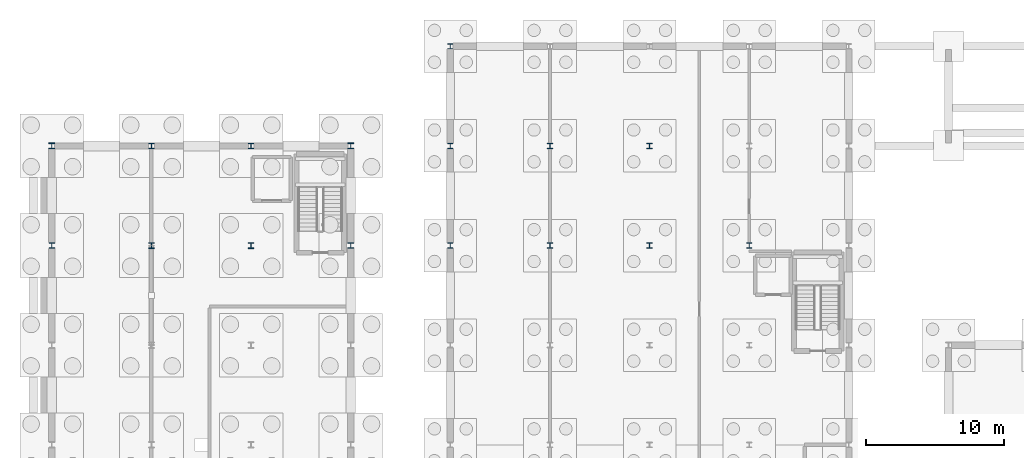
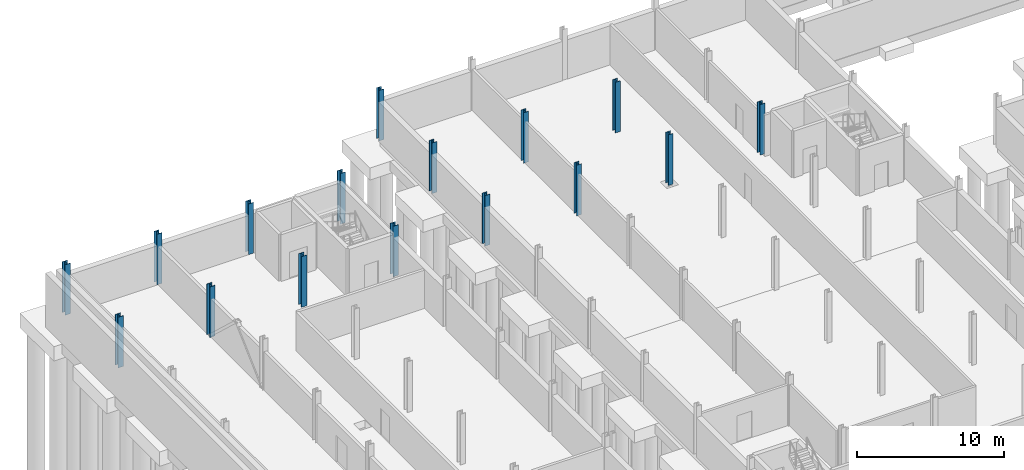
# One storey, part 17 of 50: 16 columns.
"""IFC4 building model written with IfcOpenShell, lengths in metres."""

from ifc_helpers import new_model, si_unit, direction, frame, origin, origin_2d, place, context, subcontext, project, spatial, i_section, extrude, material, material_profile, profile_set, type_object, element, save


model = new_model("IFC4")

# Units and contexts
model_context = context("Model", 3, precision=1e-05, world=origin(), true_north=direction((0.0, 1.0)))
body_context = subcontext(model_context, "Body", "Model", "MODEL_VIEW")
ifc_project = project(units=[si_unit("LENGTHUNIT", "METRE"), si_unit("AREAUNIT", "SQUARE_METRE"), si_unit("VOLUMEUNIT", "CUBIC_METRE"), si_unit("PLANEANGLEUNIT", "RADIAN"), si_unit("MASSUNIT", "GRAM", prefix="KILO")], contexts=[model_context])

# Site, building, storey
site_placement = place(None, origin())
site = spatial("IfcSite", under=ifc_project, at=site_placement, CompositionType="ELEMENT")
building_placement = place(site_placement, origin())
building = spatial("IfcBuilding", under=site, at=building_placement, Name="Narikvali Park Central Library", CompositionType="ELEMENT")
storey_placement = place(building_placement, frame((0.0, 0.0, -4.199951171875)))
storey = spatial("IfcBuildingStorey", under=building, at=storey_placement, Name="B1", CompositionType="ELEMENT", Elevation=-4.199951171875)

# Columns
ifc_material = material(Name="Steel S355", Category="steel")
ifc_material_profile_1 = material_profile(ifc_material, i_section(OverallWidth=0.375, OverallDepth=0.375, WebThickness=0.014892578125, FlangeThickness=0.0244140625, FilletRadius=0.014892578125, at=origin_2d()), Name="HD 360x216")
ifc_profile_set_1 = profile_set([ifc_material_profile_1], Name="Steel S355")
column_type_1 = type_object("IfcColumnType", Name="Atrium Corner Column HD360x216", PredefinedType="COLUMN", material=ifc_profile_set_1)
column_placement = place(storey_placement, frame((28.800048828125, 115.199951171875, 0.0), z_axis=(0.0, 0.0, 1.0), x_axis=(1.0, 0.0, 0.0)))
element("IfcColumn", 1, at=column_placement, inside=storey, type_object=column_type_1, Name="V4 B1 Column (28.8,115.2)", PredefinedType="COLUMN", context=body_context, shape_type="SweptSolid", body=[
    extrude(i_section(OverallWidth=0.375, OverallDepth=0.375, WebThickness=0.014892578125, FlangeThickness=0.0244140625, FilletRadius=0.014892578125, at=origin_2d()), origin(), (0.0, 0.0, 1.0), 4.199951171875),
])
ifc_material_profile_2 = material_profile(ifc_material, i_section(OverallWidth=0.3759765625, OverallDepth=0.3798828125, WebThickness=0.0166015625, FlangeThickness=0.026611328125, FilletRadius=0.014892578125, at=origin_2d()), Name="HD 360x237")
ifc_profile_set_2 = profile_set([ifc_material_profile_2], Name="Steel S355")
column_type_2 = type_object("IfcColumnType", Name="Atrium Edge Column HD360x237", PredefinedType="COLUMN", material=ifc_profile_set_2)
for number, where, z_axis, x_axis, name in (
    (2, (28.800048828125, 100.800048828125, 0.0), (0.0, 0.0, 1.0), (1.0, 0.0, 0.0), "V4 B1 Column (28.8,100.8)"),
    (3, (28.800048828125, 108.0, 0.0), (0.0, 0.0, 1.0), (1.0, 0.0, 0.0), "V4 B1 Column (28.8,108.0)"),
):
    element("IfcColumn", number, at=place(storey_placement, frame(where, z_axis=z_axis, x_axis=x_axis)), inside=storey, type_object=column_type_2, Name=name, PredefinedType="COLUMN", context=body_context, shape_type="SweptSolid", body=[
        extrude(i_section(OverallWidth=0.3759765625, OverallDepth=0.3798828125, WebThickness=0.0166015625, FlangeThickness=0.026611328125, FilletRadius=0.014892578125, at=origin_2d()), origin(), (0.0, 0.0, 1.0), 4.199951171875),
    ])
ifc_material_profile_3 = material_profile(ifc_material, i_section(OverallWidth=0.3779296875, OverallDepth=0.386962890625, WebThickness=0.01806640625, FlangeThickness=0.029052734375, FilletRadius=0.014892578125, at=origin_2d()), Name="HD 360x262")
ifc_profile_set_3 = profile_set([ifc_material_profile_3], Name="Steel S355")
column_type_3 = type_object("IfcColumnType", Name="Atrium Interior Column HD360x262", PredefinedType="COLUMN", material=ifc_profile_set_3)
for number, where, z_axis, x_axis, name in (
    (4, (36.0, 100.800048828125, 0.0), (0.0, 0.0, 1.0), (1.0, 0.0, 0.0), "V4 B1 Column (36.0,100.8)"),
    (5, (36.0, 108.0, 0.0), (0.0, 0.0, 1.0), (1.0, 0.0, 0.0), "V4 B1 Column (36.0,108.0)"),
    (6, (43.199951171875, 100.800048828125, 0.0), (0.0, 0.0, 1.0), (1.0, 0.0, 0.0), "V4 B1 Column (43.2,100.8)"),
    (7, (43.199951171875, 108.0, 0.0), (0.0, 0.0, 1.0), (1.0, 0.0, 0.0), "V4 B1 Column (43.2,108.0)"),
    (8, (50.39990234375, 100.800048828125, 0.0), (0.0, 0.0, 1.0), (1.0, 0.0, 0.0), "V4 B1 Column (50.4,100.8)"),
):
    element("IfcColumn", number, at=place(storey_placement, frame(where, z_axis=z_axis, x_axis=x_axis)), inside=storey, type_object=column_type_3, Name=name, PredefinedType="COLUMN", context=body_context, shape_type="SweptSolid", body=[
        extrude(i_section(OverallWidth=0.3779296875, OverallDepth=0.386962890625, WebThickness=0.01806640625, FlangeThickness=0.029052734375, FilletRadius=0.014892578125, at=origin_2d()), origin(), (0.0, 0.0, 1.0), 4.199951171875),
    ])
ifc_material_profile_4 = material_profile(ifc_material, i_section(OverallWidth=0.408935546875, OverallDepth=0.425048828125, WebThickness=0.02294921875, FlangeThickness=0.03857421875, FilletRadius=0.014892578125, at=origin_2d()), Name="HD 400x421")
ifc_profile_set_4 = profile_set([ifc_material_profile_4], Name="Steel S355")
column_type_4 = type_object("IfcColumnType", Name="Heavy Archive Column HD400x421", PredefinedType="COLUMN", material=ifc_profile_set_4)
for number, where, z_axis, x_axis, name in (
    (9, (0.0, 108.0, 0.0), (0.0, 0.0, 1.0), (1.0, 0.0, 0.0), "V5 B1 Column (0.0,108.0)"),
    (10, (21.60009765625, 108.0, 0.0), (0.0, 0.0, 1.0), (1.0, 0.0, 0.0), "V5 B1 Column (21.6,108.0)"),
):
    element("IfcColumn", number, at=place(storey_placement, frame(where, z_axis=z_axis, x_axis=x_axis)), inside=storey, type_object=column_type_4, Name=name, PredefinedType="COLUMN", context=body_context, shape_type="SweptSolid", body=[
        extrude(i_section(OverallWidth=0.408935546875, OverallDepth=0.425048828125, WebThickness=0.02294921875, FlangeThickness=0.03857421875, FilletRadius=0.014892578125, at=origin_2d()), origin(), (0.0, 0.0, 1.0), 4.199951171875),
    ])
ifc_material_profile_5 = material_profile(ifc_material, i_section(OverallWidth=0.412109375, OverallDepth=0.43505859375, WebThickness=0.02490234375, FlangeThickness=0.0419921875, FilletRadius=0.014892578125, at=origin_2d()), Name="HD 400x463")
ifc_profile_set_5 = profile_set([ifc_material_profile_5], Name="Steel S355")
column_type_5 = type_object("IfcColumnType", Name="Heavy Archive Column HD400x463", PredefinedType="COLUMN", material=ifc_profile_set_5)
for number, where, z_axis, x_axis, name in (
    (11, (7.199951171875, 100.800048828125, 0.0), (0.0, 0.0, 1.0), (1.0, 0.0, 0.0), "V5 B1 Column (7.2,100.8)"),
    (12, (14.39990234375, 100.800048828125, 0.0), (0.0, 0.0, 1.0), (1.0, 0.0, 0.0), "V5 B1 Column (14.4,100.8)"),
):
    element("IfcColumn", number, at=place(storey_placement, frame(where, z_axis=z_axis, x_axis=x_axis)), inside=storey, type_object=column_type_5, Name=name, PredefinedType="COLUMN", context=body_context, shape_type="SweptSolid", body=[
        extrude(i_section(OverallWidth=0.412109375, OverallDepth=0.43505859375, WebThickness=0.02490234375, FlangeThickness=0.0419921875, FilletRadius=0.014892578125, at=origin_2d()), origin(), (0.0, 0.0, 1.0), 4.199951171875),
    ])
ifc_material_profile_6 = material_profile(ifc_material, i_section(OverallWidth=0.406005859375, OverallDepth=0.416015625, WebThickness=0.021484375, FlangeThickness=0.034423828125, FilletRadius=0.014892578125, at=origin_2d()), Name="HD 400x382")
ifc_profile_set_6 = profile_set([ifc_material_profile_6], Name="Steel S355")
column_type_6 = type_object("IfcColumnType", Name="Steel Column HD400x382", PredefinedType="COLUMN", material=ifc_profile_set_6)
for number, where, z_axis, x_axis, name in (
    (13, (0.0, 100.800048828125, 0.0), (0.0, 0.0, 1.0), (1.0, 0.0, 0.0), "V5 B1 Column (0.0,100.8)"),
    (14, (7.199951171875, 108.0, 0.0), (0.0, 0.0, 1.0), (1.0, 0.0, 0.0), "V5 B1 Column (7.2,108.0)"),
    (15, (14.39990234375, 108.0, 0.0), (0.0, 0.0, 1.0), (1.0, 0.0, 0.0), "V5 B1 Column (14.4,108.0)"),
    (16, (21.60009765625, 100.800048828125, 0.0), (0.0, 0.0, 1.0), (1.0, 0.0, 0.0), "V5 B1 Column (21.6,100.8)"),
):
    element("IfcColumn", number, at=place(storey_placement, frame(where, z_axis=z_axis, x_axis=x_axis)), inside=storey, type_object=column_type_6, Name=name, PredefinedType="COLUMN", context=body_context, shape_type="SweptSolid", body=[
        extrude(i_section(OverallWidth=0.406005859375, OverallDepth=0.416015625, WebThickness=0.021484375, FlangeThickness=0.034423828125, FilletRadius=0.014892578125, at=origin_2d()), origin(), (0.0, 0.0, 1.0), 4.199951171875),
    ])

save(model, "model.ifc")
